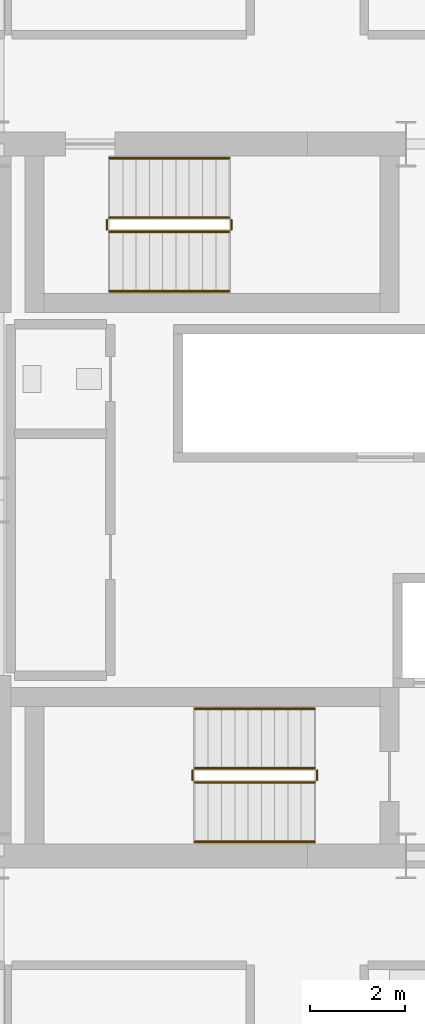
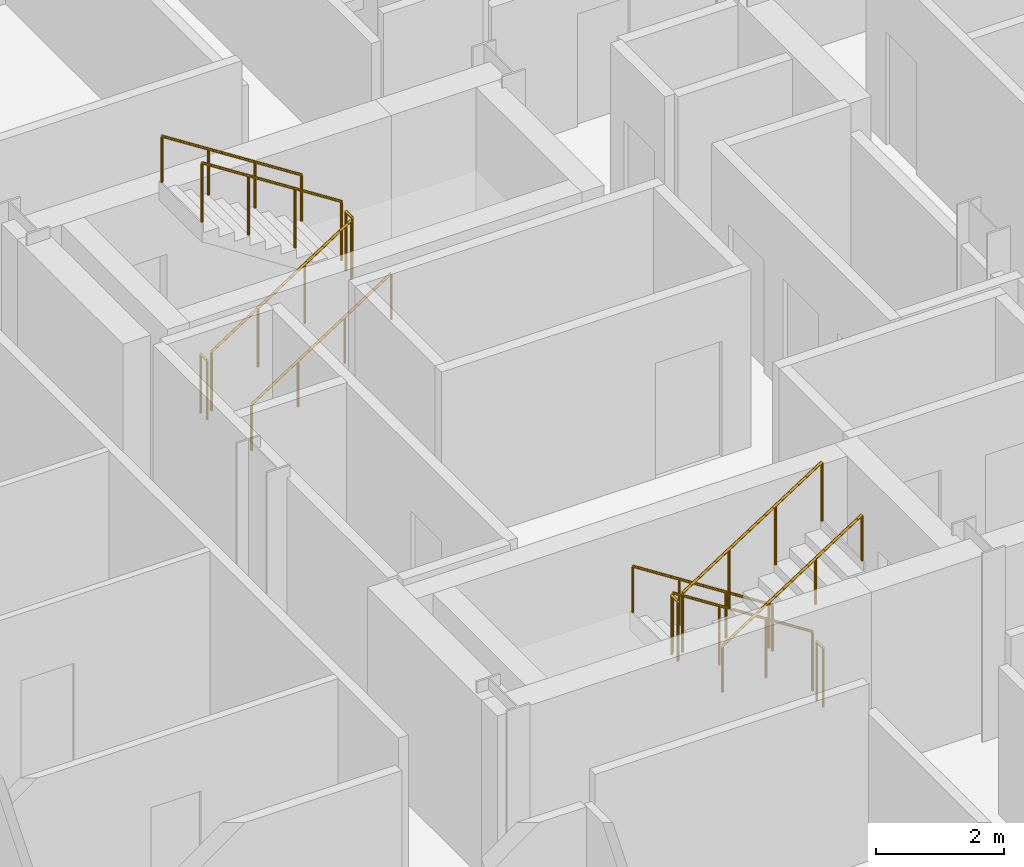
# One storey, part 24 of 25: 12 railings.
"""IFC4 building model written with IfcOpenShell, lengths in metres."""

from ifc_helpers import new_model, si_unit, direction, frame, origin, origin_2d, place, context, subcontext, project, spatial, circle, extrude, material, type_object, element, save


model = new_model("IFC4")

# Units and contexts
model_context = context("Model", 3, precision=1e-05, world=origin(), true_north=direction((0.0, 1.0)))
body_context = subcontext(model_context, "Body", "Model", "MODEL_VIEW")
ifc_project = project(units=[si_unit("LENGTHUNIT", "METRE"), si_unit("AREAUNIT", "SQUARE_METRE"), si_unit("VOLUMEUNIT", "CUBIC_METRE"), si_unit("PLANEANGLEUNIT", "RADIAN"), si_unit("MASSUNIT", "GRAM", prefix="KILO")], contexts=[model_context])

# Site, building, storey
site_placement = place(None, origin())
site = spatial("IfcSite", under=ifc_project, at=site_placement, CompositionType="ELEMENT")
building_placement = place(site_placement, origin())
building = spatial("IfcBuilding", under=site, at=building_placement, Name="Barlavira Tower and Art Museum", CompositionType="ELEMENT")
storey_placement = place(building_placement, frame((0.0, 0.0, 133.199951171875)))
storey = spatial("IfcBuildingStorey", under=building, at=storey_placement, Name="L33", CompositionType="ELEMENT", Elevation=133.199951171875)

# Railings
ifc_material = material(Name="Brushed stainless steel", Category="steel")
railing_type_1 = type_object("IfcRailingType", Name="Interior Void and Landing Guard Railing 1150", PredefinedType="GUARDRAIL", material=ifc_material)
railing_1_placement = place(storey_placement, frame((0.14990234375, -5.64990234375, 0.179931640625)))
element("IfcRailing", 1, at=railing_1_placement, inside=storey, type_object=railing_type_1, Name="L33 ST-T1 stair guard 1", PredefinedType="GUARDRAIL", context=body_context, shape_type="SweptSolid", body=[
    extrude(circle(Radius=0.02392578125, at=origin_2d()), frame((0.0, 0.0, 1.1259765625), z_axis=(-0.841162588446, 0.0, 0.540782303519), x_axis=(0.0, -1.0, 0.0)), (0.0, 0.0, 1.0), 2.995849609375),
    extrude(circle(Radius=0.02099609375, at=origin_2d()), origin(), (0.0, 0.0, 1.0), 1.101806640625),
    extrude(circle(Radius=0.02099609375, at=origin_2d()), frame((-0.840087890625, 0.0, 0.5400390625)), (0.0, 0.0, 1.0), 1.101806640625),
    extrude(circle(Radius=0.02099609375, at=origin_2d()), frame((-1.679931640625, 0.0, 1.080078125)), (0.0, 0.0, 1.0), 1.101806640625),
    extrude(circle(Radius=0.02099609375, at=origin_2d()), frame((-2.52001953125, 0.0, 1.6201171875)), (0.0, 0.0, 1.0), 1.101806640625),
])
railing_2_placement = place(storey_placement, frame((-2.419921875, -5.699951171875, 1.800048828125)))
element("IfcRailing", 2, at=railing_2_placement, inside=storey, type_object=railing_type_1, Name="L33 ST-T1 stair guard 2", PredefinedType="GUARDRAIL", context=body_context, shape_type="SweptSolid", body=[
    extrude(circle(Radius=0.02392578125, at=origin_2d()), frame((0.0, 0.0, 1.1259765625), z_axis=(0.0, -1.0, 0.0), x_axis=(1.0, 0.0, 0.0)), (0.0, 0.0, 1.0), 0.199951171875),
    extrude(circle(Radius=0.02099609375, at=origin_2d()), origin(), (0.0, 0.0, 1.0), 1.101806640625),
    extrude(circle(Radius=0.02099609375, at=origin_2d()), frame((0.0, -0.199951171875, 0.0)), (0.0, 0.0, 1.0), 1.101806640625),
])
railing_3_placement = place(storey_placement, frame((-2.3701171875, -5.949951171875, 1.97998046875)))
element("IfcRailing", 3, at=railing_3_placement, inside=storey, type_object=railing_type_1, Name="L33 ST-T1 stair guard 3", PredefinedType="GUARDRAIL", context=body_context, shape_type="SweptSolid", body=[
    extrude(circle(Radius=0.02392578125, at=origin_2d()), frame((0.0, 0.0, 1.1259765625), z_axis=(0.841162588446, 0.0, 0.540782303519), x_axis=(0.0, 1.0, 0.0)), (0.0, 0.0, 1.0), 2.995849609375),
    extrude(circle(Radius=0.02099609375, at=origin_2d()), origin(), (0.0, 0.0, 1.0), 1.101806640625),
    extrude(circle(Radius=0.02099609375, at=origin_2d()), frame((0.840087890625, 0.0, 0.5400390625)), (0.0, 0.0, 1.0), 1.101806640625),
    extrude(circle(Radius=0.02099609375, at=origin_2d()), frame((1.679931640625, 0.0, 1.080078125)), (0.0, 0.0, 1.0), 1.101806640625),
    extrude(circle(Radius=0.02099609375, at=origin_2d()), frame((2.52001953125, 0.0, 1.6201171875)), (0.0, 0.0, 1.0), 1.101806640625),
])
railing_4_placement = place(storey_placement, frame((0.199951171875, -5.699951171875, 0.0)))
element("IfcRailing", 4, at=railing_4_placement, inside=storey, type_object=railing_type_1, Name="L33 ST-T1 stair guard 4", PredefinedType="GUARDRAIL", context=body_context, shape_type="SweptSolid", body=[
    extrude(circle(Radius=0.02392578125, at=origin_2d()), frame((0.0, 0.0, 1.1259765625), z_axis=(0.0, -1.0, 0.0), x_axis=(1.0, 0.0, 0.0)), (0.0, 0.0, 1.0), 0.199951171875),
    extrude(circle(Radius=0.02099609375, at=origin_2d()), origin(), (0.0, 0.0, 1.0), 1.101806640625),
    extrude(circle(Radius=0.02099609375, at=origin_2d()), frame((0.0, -0.199951171875, 0.0)), (0.0, 0.0, 1.0), 1.101806640625),
])
railing_5_placement = place(storey_placement, frame((-4.169921875, 5.64990234375, 0.179931640625)))
element("IfcRailing", 5, at=railing_5_placement, inside=storey, type_object=railing_type_1, Name="L33 ST-T2 stair guard 1", PredefinedType="GUARDRAIL", context=body_context, shape_type="SweptSolid", body=[
    extrude(circle(Radius=0.02392578125, at=origin_2d()), frame((0.0, 0.0, 1.1259765625), z_axis=(0.841162588446, 0.0, 0.540782303519), x_axis=(0.0, 1.0, 0.0)), (0.0, 0.0, 1.0), 2.995849609375),
    extrude(circle(Radius=0.02099609375, at=origin_2d()), origin(), (0.0, 0.0, 1.0), 1.101806640625),
    extrude(circle(Radius=0.02099609375, at=origin_2d()), frame((0.840087890625, 0.0, 0.5400390625)), (0.0, 0.0, 1.0), 1.101806640625),
    extrude(circle(Radius=0.02099609375, at=origin_2d()), frame((1.679931640625, 0.0, 1.080078125)), (0.0, 0.0, 1.0), 1.101806640625),
    extrude(circle(Radius=0.02099609375, at=origin_2d()), frame((2.52001953125, 0.0, 1.6201171875)), (0.0, 0.0, 1.0), 1.101806640625),
])
railing_6_placement = place(storey_placement, frame((-1.60009765625, 5.699951171875, 1.800048828125)))
element("IfcRailing", 6, at=railing_6_placement, inside=storey, type_object=railing_type_1, Name="L33 ST-T2 stair guard 2", PredefinedType="GUARDRAIL", context=body_context, shape_type="SweptSolid", body=[
    extrude(circle(Radius=0.02392578125, at=origin_2d()), frame((0.0, 0.0, 1.1259765625), z_axis=(0.0, 1.0, 0.0), x_axis=(-1.0, 0.0, 0.0)), (0.0, 0.0, 1.0), 0.199951171875),
    extrude(circle(Radius=0.02099609375, at=origin_2d()), origin(), (0.0, 0.0, 1.0), 1.101806640625),
    extrude(circle(Radius=0.02099609375, at=origin_2d()), frame((0.0, 0.199951171875, 0.0)), (0.0, 0.0, 1.0), 1.101806640625),
])
railing_7_placement = place(storey_placement, frame((-1.64990234375, 5.949951171875, 1.97998046875)))
element("IfcRailing", 7, at=railing_7_placement, inside=storey, type_object=railing_type_1, Name="L33 ST-T2 stair guard 3", PredefinedType="GUARDRAIL", context=body_context, shape_type="SweptSolid", body=[
    extrude(circle(Radius=0.02392578125, at=origin_2d()), frame((0.0, 0.0, 1.1259765625), z_axis=(-0.841162588446, 0.0, 0.540782303519), x_axis=(0.0, -1.0, 0.0)), (0.0, 0.0, 1.0), 2.995849609375),
    extrude(circle(Radius=0.02099609375, at=origin_2d()), origin(), (0.0, 0.0, 1.0), 1.101806640625),
    extrude(circle(Radius=0.02099609375, at=origin_2d()), frame((-0.840087890625, 0.0, 0.5400390625)), (0.0, 0.0, 1.0), 1.101806640625),
    extrude(circle(Radius=0.02099609375, at=origin_2d()), frame((-1.679931640625, 0.0, 1.080078125)), (0.0, 0.0, 1.0), 1.101806640625),
    extrude(circle(Radius=0.02099609375, at=origin_2d()), frame((-2.52001953125, 0.0, 1.6201171875)), (0.0, 0.0, 1.0), 1.101806640625),
])
railing_8_placement = place(storey_placement, frame((-4.219970703125, 5.699951171875, 0.0)))
element("IfcRailing", 8, at=railing_8_placement, inside=storey, type_object=railing_type_1, Name="L33 ST-T2 stair guard 4", PredefinedType="GUARDRAIL", context=body_context, shape_type="SweptSolid", body=[
    extrude(circle(Radius=0.02392578125, at=origin_2d()), frame((0.0, 0.0, 1.1259765625), z_axis=(0.0, 1.0, 0.0), x_axis=(-1.0, 0.0, 0.0)), (0.0, 0.0, 1.0), 0.199951171875),
    extrude(circle(Radius=0.02099609375, at=origin_2d()), origin(), (0.0, 0.0, 1.0), 1.101806640625),
    extrude(circle(Radius=0.02099609375, at=origin_2d()), frame((0.0, 0.199951171875, 0.0)), (0.0, 0.0, 1.0), 1.101806640625),
])
railing_type_2 = type_object("IfcRailingType", Name="Stair Pitch Tubular Steel Handrail 920", PredefinedType="HANDRAIL", material=ifc_material)
railing_9_placement = place(storey_placement, frame((0.14990234375, -4.39990234375, 0.179931640625)))
element("IfcRailing", 9, at=railing_9_placement, inside=storey, type_object=railing_type_2, Name="L33 ST-T1 stair handrail 1", PredefinedType="HANDRAIL", context=body_context, shape_type="SweptSolid", body=[
    extrude(circle(Radius=0.02392578125, at=origin_2d()), frame((0.0, 0.0, 0.8759765625), z_axis=(-0.841162588446, 0.0, 0.540782303519), x_axis=(0.0, -1.0, 0.0)), (0.0, 0.0, 1.0), 2.995849609375),
    extrude(circle(Radius=0.02099609375, at=origin_2d()), origin(), (0.0, 0.0, 1.0), 0.851806640625),
    extrude(circle(Radius=0.02099609375, at=origin_2d()), frame((-0.840087890625, 0.0, 0.5400390625)), (0.0, 0.0, 1.0), 0.851806640625),
    extrude(circle(Radius=0.02099609375, at=origin_2d()), frame((-1.679931640625, 0.0, 1.080078125)), (0.0, 0.0, 1.0), 0.851806640625),
    extrude(circle(Radius=0.02099609375, at=origin_2d()), frame((-2.52001953125, 0.0, 1.6201171875)), (0.0, 0.0, 1.0), 0.851806640625),
])
for number, where, name in (
    (10, (-2.3701171875, -7.199951171875, 1.97998046875), "L33 ST-T1 stair handrail 2"),
    (11, (-4.169921875, 4.39990234375, 0.179931640625), "L33 ST-T2 stair handrail 1"),
):
    element("IfcRailing", number, at=place(storey_placement, frame(where)), inside=storey, type_object=railing_type_2, Name=name, PredefinedType="HANDRAIL", context=body_context, shape_type="SweptSolid", body=[
        extrude(circle(Radius=0.02392578125, at=origin_2d()), frame((0.0, 0.0, 0.8759765625), z_axis=(0.841162588446, 0.0, 0.540782303519), x_axis=(0.0, 1.0, 0.0)), (0.0, 0.0, 1.0), 2.995849609375),
        extrude(circle(Radius=0.02099609375, at=origin_2d()), origin(), (0.0, 0.0, 1.0), 0.851806640625),
        extrude(circle(Radius=0.02099609375, at=origin_2d()), frame((0.840087890625, 0.0, 0.5400390625)), (0.0, 0.0, 1.0), 0.851806640625),
        extrude(circle(Radius=0.02099609375, at=origin_2d()), frame((1.679931640625, 0.0, 1.080078125)), (0.0, 0.0, 1.0), 0.851806640625),
        extrude(circle(Radius=0.02099609375, at=origin_2d()), frame((2.52001953125, 0.0, 1.6201171875)), (0.0, 0.0, 1.0), 0.851806640625),
    ])
railing_10_placement = place(storey_placement, frame((-1.64990234375, 7.199951171875, 1.97998046875)))
element("IfcRailing", 12, at=railing_10_placement, inside=storey, type_object=railing_type_2, Name="L33 ST-T2 stair handrail 2", PredefinedType="HANDRAIL", context=body_context, shape_type="SweptSolid", body=[
    extrude(circle(Radius=0.02392578125, at=origin_2d()), frame((0.0, 0.0, 0.8759765625), z_axis=(-0.841162588446, 0.0, 0.540782303519), x_axis=(0.0, -1.0, 0.0)), (0.0, 0.0, 1.0), 2.995849609375),
    extrude(circle(Radius=0.02099609375, at=origin_2d()), origin(), (0.0, 0.0, 1.0), 0.851806640625),
    extrude(circle(Radius=0.02099609375, at=origin_2d()), frame((-0.840087890625, 0.0, 0.5400390625)), (0.0, 0.0, 1.0), 0.851806640625),
    extrude(circle(Radius=0.02099609375, at=origin_2d()), frame((-1.679931640625, 0.0, 1.080078125)), (0.0, 0.0, 1.0), 0.851806640625),
    extrude(circle(Radius=0.02099609375, at=origin_2d()), frame((-2.52001953125, 0.0, 1.6201171875)), (0.0, 0.0, 1.0), 0.851806640625),
])

save(model, "model.ifc")
